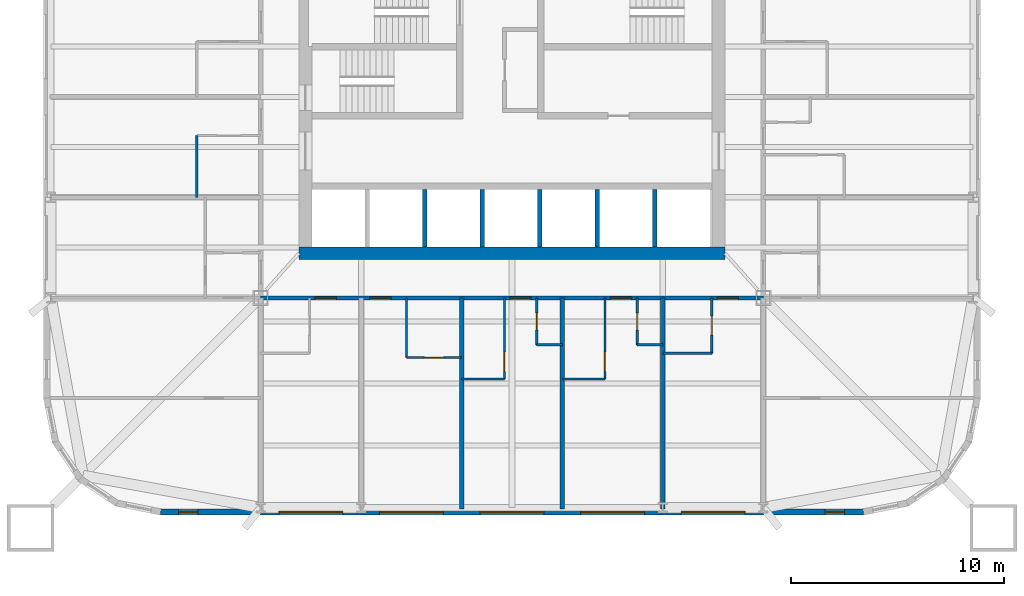
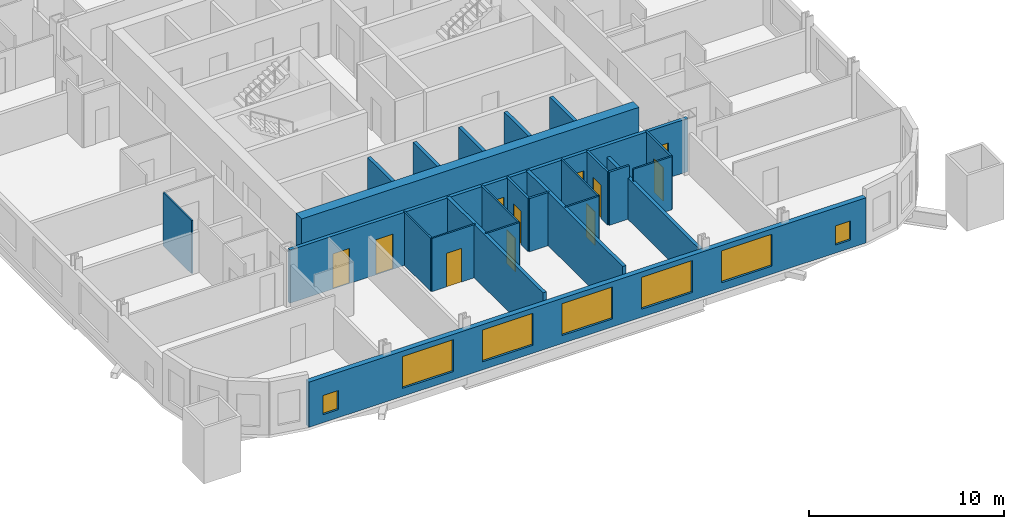
# One storey, part 3 of 9: 24 walls, 11 doors, 7 windows, 18 openings.
"""IFC4 building model written with IfcOpenShell, lengths in metres."""

import ifcopenshell
import ifcopenshell.guid

model = None  # the IFC model being written
_history = None  # IfcOwnerHistory: only IFC2X3 demands one
_inside = {}  # id of a spatial element -> (the spatial element, [elements in it])
_under = {}  # id of a project, library or spatial element -> (it, [spatial elements below it])
_declared = {}  # id of a project -> (the project, [libraries it declares])
_typed = {}  # id of a type object -> (the type object, [elements of that type])
_made_of = {}  # id of a material, layer set ... -> (it, [elements and type objects made of it])


def new_model(schema):
    """Start an empty IFC model of exactly this schema.

    Asked for "IFC4X3", IfcOpenShell would pick the latest addendum, in which some entities
    have other attributes; the version numbers below select the first issue.
    IFC2X3 requires an IfcOwnerHistory on every rooted entity: one is made here for all.
    """
    global model, _history
    if schema == "IFC4X3":
        model = ifcopenshell.file(schema_version=(4, 3, 0, 0))
    else:
        model = ifcopenshell.file(schema=schema)
    _inside.clear()
    _under.clear()
    _declared.clear()
    _typed.clear()
    _made_of.clear()
    _history = None
    if model.schema == "IFC2X3":
        org = make("IfcOrganization", Name="unknown")
        user = make(
            "IfcPersonAndOrganization",
            ThePerson=make("IfcPerson", FamilyName="unknown"),
            TheOrganization=org,
        )
        app = make(
            "IfcApplication",
            ApplicationDeveloper=org,
            Version="unknown",
            ApplicationFullName="unknown",
            ApplicationIdentifier="unknown",
        )
        _history = make(
            "IfcOwnerHistory",
            OwningUser=user,
            OwningApplication=app,
            ChangeAction="ADDED",
            CreationDate=0,
        )
    return model


def make(cls, **values):
    """One entity of the class cls with the attributes given. An attribute that is None is left unset."""
    return model.create_entity(
        cls, **{name: value for name, value in values.items() if value is not None}
    )


def rooted(cls, **values):
    """An entity with a GlobalId (a new one), such as an element, a storey or a relation."""
    return make(cls, GlobalId=ifcopenshell.guid.new(), OwnerHistory=_history, **values)


def si_unit(unit_type, name, prefix=None):
    """IfcSIUnit, for example si_unit("LENGTHUNIT", "METRE", prefix="MILLI")."""
    return make("IfcSIUnit", UnitType=unit_type, Prefix=prefix, Name=name)


def assignment(units):
    """IfcUnitAssignment: the units of a project."""
    return None if units is None else make("IfcUnitAssignment", Units=units)


def point(xyz):
    """IfcCartesianPoint."""
    return None if xyz is None else make("IfcCartesianPoint", Coordinates=xyz)


def direction(xyz):
    """IfcDirection."""
    return None if xyz is None else make("IfcDirection", DirectionRatios=xyz)


def frame(location, z_axis=None, x_axis=None):
    """IfcAxis2Placement3D, a coordinate frame: its origin and axes. An axis left out is left unset."""
    return make(
        "IfcAxis2Placement3D",
        Location=point(location),
        Axis=direction(z_axis),
        RefDirection=direction(x_axis),
    )


def frame_2d(location, x_axis=None):
    """IfcAxis2Placement2D, a coordinate frame in the plane: its origin and x axis."""
    return make(
        "IfcAxis2Placement2D", Location=point(location), RefDirection=direction(x_axis)
    )


def origin():
    """The frame at (0, 0, 0) with its axes left unset."""
    return frame((0.0, 0.0, 0.0))


def place(relative_to, where):
    """IfcLocalPlacement: puts the frame where relative to a parent placement (None: the world)."""
    return make(
        "IfcLocalPlacement", PlacementRelTo=relative_to, RelativePlacement=where
    )


def context(
    kind, dimensions, precision=None, world=None, true_north=None, identifier=None
):
    """IfcGeometricRepresentationContext, for example the 3D "Model" context."""
    return make(
        "IfcGeometricRepresentationContext",
        ContextIdentifier=identifier,
        ContextType=kind,
        CoordinateSpaceDimension=dimensions,
        Precision=precision,
        WorldCoordinateSystem=world,
        TrueNorth=true_north,
    )


def subcontext(parent, identifier, kind, view, scale=None):
    """IfcGeometricRepresentationSubContext, for example "Body" below "Model"."""
    return make(
        "IfcGeometricRepresentationSubContext",
        ContextIdentifier=identifier,
        ContextType=kind,
        ParentContext=parent,
        TargetScale=scale,
        TargetView=view,
    )


def project(units=None, contexts=None):
    """IfcProject with its units and contexts."""
    return rooted(
        "IfcProject",
        Name="project",
        RepresentationContexts=contexts,
        UnitsInContext=assignment(units),
    )


def spatial(cls, under=None, at=None, **own):
    """A site, building, storey or space (cls), placed at a placement, below another one or the project."""
    s = rooted(cls, ObjectPlacement=at, **own)
    if under is not None:
        _under.setdefault(under.id(), (under, []))[1].append(s)
    return s


def profile(cls, at=None, kind="AREA", **sizes):
    """A parametric profile (cls). Its sizes go by their IFC names, for example OverallWidth=200.0."""
    return make(cls, ProfileType=kind, Position=at, **sizes)


def rectangle(**sizes):
    """IfcRectangleProfileDef."""
    return profile("IfcRectangleProfileDef", **sizes)


def extrude(swept, where, along, depth):
    """IfcExtrudedAreaSolid: the profile swept, set in the frame where, extruded along a direction by depth."""
    return make(
        "IfcExtrudedAreaSolid",
        SweptArea=swept,
        Position=where,
        ExtrudedDirection=direction(along),
        Depth=depth,
    )


def shape(context_of_items, identifier, shape_type, items):
    """IfcShapeRepresentation: the items that make up one representation, for example the "Body"."""
    return make(
        "IfcShapeRepresentation",
        ContextOfItems=context_of_items,
        RepresentationIdentifier=identifier,
        RepresentationType=shape_type,
        Items=items,
    )


def material(Name=None, Category=None):
    """IfcMaterial."""
    return make("IfcMaterial", Name=Name, Category=Category)


def layer(
    of_material, thickness, ventilated=None, Name=None, Category=None, Priority=None
):
    """IfcMaterialLayer: one layer of a wall or slab, of a material (None: an air gap)."""
    return make(
        "IfcMaterialLayer",
        Material=of_material,
        LayerThickness=thickness,
        IsVentilated=ventilated,
        Name=Name,
        Category=Category,
        Priority=Priority,
    )


def layer_set(layers, Name=None):
    """IfcMaterialLayerSet."""
    return make("IfcMaterialLayerSet", MaterialLayers=layers, LayerSetName=Name)


def made_of(thing, what):
    """Note that an element or type object is made of a material, layer set ...; save() writes the relation."""
    if what is not None:
        _made_of.setdefault(what.id(), (what, []))[1].append(thing)
    return thing


def type_object(cls, material=None, **own):
    """A type object (cls), such as IfcWallType, which elements share."""
    return made_of(rooted(cls, **own), material)


def element(
    cls,
    number,
    at=None,
    inside=None,
    cuts=None,
    type_object=None,
    material=None,
    context=None,
    identifier="Body",
    shape_type=None,
    held_by="IfcProductDefinitionShape",
    body=None,
    shapes=None,
    **own,
):
    """One element of the class cls, such as IfcWall. Its Tag is "e" and its number.

    at: its placement. inside: the storey or other place that contains it. cuts: it is an
    opening in that element (IfcRelVoidsElement). A single representation is given by context,
    identifier, shape_type and body (its items); several are given by shapes. held_by: the class
    of the entity that holds the representations. save() writes the other relations.
    """
    e = rooted(cls, Tag="e%d" % number, ObjectPlacement=at, **own)
    if body is not None:
        shapes = [shape(context, identifier, shape_type, body)]
    if shapes is not None:
        e.Representation = make(held_by, Representations=shapes)
    if inside is not None:
        _inside.setdefault(inside.id(), (inside, []))[1].append(e)
    if cuts is not None:
        rooted(
            "IfcRelVoidsElement", RelatingBuildingElement=cuts, RelatedOpeningElement=e
        )
    if type_object is not None:
        _typed.setdefault(type_object.id(), (type_object, []))[1].append(e)
    return made_of(e, material)


def fill(opening, filler):
    """IfcRelFillsElement: the door or window that sits in an opening."""
    return rooted(
        "IfcRelFillsElement",
        RelatingOpeningElement=opening,
        RelatedBuildingElement=filler,
    )


def aggregate(whole, parts):
    """IfcRelAggregates: a whole, such as a stair, and the parts it consists of."""
    return rooted("IfcRelAggregates", RelatingObject=whole, RelatedObjects=parts)


def save(model, path):
    """Write the relations noted so far, then the file.

    IfcRelAggregates (storeys below a building ...), IfcRelContainedInSpatialStructure (elements
    in a storey), IfcRelDefinesByType, IfcRelAssociatesMaterial and IfcRelDeclares: one each for
    every whole, place, type object, material and project.
    """
    for whole, parts in _under.values():
        aggregate(whole, parts)
    for where, things in _inside.values():
        rooted(
            "IfcRelContainedInSpatialStructure",
            RelatedElements=things,
            RelatingStructure=where,
        )
    for kind, things in _typed.values():
        rooted("IfcRelDefinesByType", RelatedObjects=things, RelatingType=kind)
    for what, things in _made_of.values():
        rooted("IfcRelAssociatesMaterial", RelatedObjects=things, RelatingMaterial=what)
    for by, libraries in _declared.values():
        rooted("IfcRelDeclares", RelatingContext=by, RelatedDefinitions=libraries)
    model.write(path)


model = new_model("IFC4")

# Units and contexts
model_context = context("Model", 3, precision=1e-05, world=origin(), true_north=direction((0.0, 1.0)))
body_context = subcontext(model_context, "Body", "Model", "MODEL_VIEW")
ifc_project = project(units=[si_unit("LENGTHUNIT", "METRE"), si_unit("AREAUNIT", "SQUARE_METRE"), si_unit("VOLUMEUNIT", "CUBIC_METRE"), si_unit("PLANEANGLEUNIT", "RADIAN"), si_unit("MASSUNIT", "GRAM", prefix="KILO")], contexts=[model_context])

# Site, building, storey
site_placement = place(None, origin())
site = spatial("IfcSite", under=ifc_project, at=site_placement, CompositionType="ELEMENT")
building_placement = place(site_placement, origin())
building = spatial("IfcBuilding", under=site, at=building_placement, Name="Turquesa Mirador Hotel Tower", CompositionType="ELEMENT")
storey_placement = place(building_placement, frame((0.0, 0.0, 74.0)))
storey = spatial("IfcBuildingStorey", under=building, at=storey_placement, Name="L19", CompositionType="ELEMENT", Elevation=74.0)

# Wall
ifc_material_1 = material(Name="Gypsum board on steel studs", Category="steel")
ifc_layer_1 = layer(ifc_material_1, 0.10009765625)
ifc_layer_set_1 = layer_set([ifc_layer_1], Name="BATHROOM WALL 100")
wall_type_1 = type_object("IfcWallType", Name="BATHROOM WALL 100", PredefinedType="PARTITIONING", material=ifc_layer_set_1)
wall_1_placement = place(storey_placement, frame((62.080078125, 30.60009765625, 0.0), z_axis=(0.0, 0.0, 1.0), x_axis=(1.0, 0.0, 0.0)))
element("IfcWall", 1, at=wall_1_placement, inside=storey, type_object=wall_type_1, Name="Partition L19 007", PredefinedType="PARTITIONING", context=body_context, shape_type="SweptSolid", body=[
    extrude(rectangle(XDim=2.2998046875, YDim=0.10009765625, at=frame_2d((1.14990234375, 0.0))), origin(), (0.0, 0.0, 1.0), 3.330078125),
])

# Wall, opening, door
wall_2_placement = place(storey_placement, frame((50.0400390625, 30.39990234375, 0.0), z_axis=(0.0, 0.0, 1.0), x_axis=(1.0, 0.0, 0.0)))
wall_2 = element("IfcWall", 2, at=wall_2_placement, inside=storey, type_object=wall_type_1, Name="Partition L19 008", PredefinedType="PARTITIONING", context=body_context, shape_type="SweptSolid", body=[
    extrude(rectangle(XDim=2.599853515625, YDim=0.10009765625, at=frame_2d((1.2998046875, 0.0))), origin(), (0.0, 0.0, 1.0), 3.330078125),
])
opening_1_placement = place(wall_2_placement, frame((0.85009765625, 0.0, 0.0)))
opening_1 = element("IfcOpeningElement", 3, at=opening_1_placement, cuts=wall_2, Name="Opening D02", PredefinedType="OPENING", context=body_context, shape_type="SweptSolid", body=[
    extrude(rectangle(XDim=0.89990234375, YDim=2.10009765625, at=frame_2d((0.449951171875, 1.050048828125))), frame((0.0, 0.06005859375, 0.0), z_axis=(0.0, -1.0, 0.0), x_axis=(1.0, 0.0, 0.0)), (0.0, 0.0, 1.0), 0.1201171875),
])
ifc_material_2 = material(Name="Timber veneered door", Category="wood")
door_type_1 = type_object("IfcDoorType", Name="DOOR 900X2100 EN-SUITE", OperationType="SINGLE_SWING_RIGHT", PredefinedType="DOOR", material=ifc_material_2)
door_1_placement = place(opening_1_placement, origin())
door_1 = element("IfcDoor", 4, at=door_1_placement, inside=storey, type_object=door_type_1, Name="Door 1904B", OperationType="SINGLE_SWING_RIGHT", OverallHeight=2.10009765625, OverallWidth=0.89990234375, PredefinedType="DOOR", context=body_context, shape_type="SweptSolid", body=[
    extrude(rectangle(XDim=0.89990234375, YDim=2.10009765625, at=frame_2d((0.449951171875, 1.050048828125))), frame((0.0, 0.02490234375, 0.0), z_axis=(0.0, -1.0, 0.0), x_axis=(1.0, 0.0, 0.0)), (0.0, 0.0, 1.0), 0.050048828125),
])
fill(opening_1, door_1)

# Walls
for number, where, z_axis, x_axis, name in (
    (5, (52.639892578125, 29.39990234375, 0.0), (0.0, 0.0, 1.0), (1.0, 0.0, 0.0), "Partition L19 009"),
    (6, (57.360107421875, 29.39990234375, 0.0), (0.0, 0.0, 1.0), (1.0, 0.0, 0.0), "Partition L19 010"),
):
    element("IfcWall", number, at=place(storey_placement, frame(where, z_axis=z_axis, x_axis=x_axis)), inside=storey, type_object=wall_type_1, Name=name, PredefinedType="PARTITIONING", context=body_context, shape_type="SweptSolid", body=[
        extrude(rectangle(XDim=2.0, YDim=0.10009765625, at=frame_2d((1.0, 0.0))), origin(), (0.0, 0.0, 1.0), 3.330078125),
    ])

# Wall, opening, door
wall_3_placement = place(storey_placement, frame((54.639892578125, 29.39990234375, 0.0), z_axis=(0.0, 0.0, 1.0), x_axis=(0.0, 1.0, 0.0)))
wall_3 = element("IfcWall", 7, at=wall_3_placement, inside=storey, type_object=wall_type_1, Name="Partition L19 041", PredefinedType="PARTITIONING", context=body_context, shape_type="SweptSolid", body=[
    extrude(rectangle(XDim=3.800048828125, YDim=0.10009765625, at=frame_2d((1.89990234375, 0.0))), origin(), (0.0, 0.0, 1.0), 3.330078125),
])
opening_2_placement = place(wall_3_placement, frame((0.35009765625, 0.0, 0.0)))
opening_2 = element("IfcOpeningElement", 8, at=opening_2_placement, cuts=wall_3, Name="Opening D02", PredefinedType="OPENING", context=body_context, shape_type="SweptSolid", body=[
    extrude(rectangle(XDim=0.89990234375, YDim=2.10009765625, at=frame_2d((0.449951171875, 1.050048828125))), frame((0.0, 0.06005859375, 0.0), z_axis=(0.0, -1.0, 0.0), x_axis=(1.0, 0.0, 0.0)), (0.0, 0.0, 1.0), 0.1201171875),
])
door_2_placement = place(opening_2_placement, origin())
door_2 = element("IfcDoor", 9, at=door_2_placement, inside=storey, type_object=door_type_1, Name="Door 1905B", OperationType="SINGLE_SWING_RIGHT", OverallHeight=2.10009765625, OverallWidth=0.89990234375, PredefinedType="DOOR", context=body_context, shape_type="SweptSolid", body=[
    extrude(rectangle(XDim=0.89990234375, YDim=2.10009765625, at=frame_2d((0.449951171875, 1.050048828125))), frame((0.0, 0.02490234375, 0.0), z_axis=(0.0, -1.0, 0.0), x_axis=(1.0, 0.0, 0.0)), (0.0, 0.0, 1.0), 0.050048828125),
])
fill(opening_2, door_2)

# Walls
wall_4_placement = place(storey_placement, frame((40.199951171875, 37.919921875, 0.0), z_axis=(0.0, 0.0, 1.0), x_axis=(0.0, 1.0, 0.0)))
element("IfcWall", 10, at=wall_4_placement, inside=storey, type_object=wall_type_1, Name="Partition L19 051", PredefinedType="PARTITIONING", context=body_context, shape_type="SweptSolid", body=[
    extrude(rectangle(XDim=2.900146484375, YDim=0.10009765625, at=frame_2d((1.4501953125, 0.0))), origin(), (0.0, 0.0, 1.0), 3.330078125),
])
wall_5_placement = place(storey_placement, frame((50.0400390625, 30.39990234375, 0.0), z_axis=(0.0, 0.0, 1.0), x_axis=(0.0, 1.0, 0.0)))
element("IfcWall", 11, at=wall_5_placement, inside=storey, type_object=wall_type_1, Name="Partition L19 056", PredefinedType="PARTITIONING", context=body_context, shape_type="SweptSolid", body=[
    extrude(rectangle(XDim=2.800048828125, YDim=0.10009765625, at=frame_2d((1.39990234375, 0.0))), origin(), (0.0, 0.0, 1.0), 3.330078125),
])

# Wall, opening, door
wall_6_placement = place(storey_placement, frame((59.360107421875, 29.39990234375, 0.0), z_axis=(0.0, 0.0, 1.0), x_axis=(0.0, 1.0, 0.0)))
wall_6 = element("IfcWall", 12, at=wall_6_placement, inside=storey, type_object=wall_type_1, Name="Partition L19 075", PredefinedType="PARTITIONING", context=body_context, shape_type="SweptSolid", body=[
    extrude(rectangle(XDim=3.800048828125, YDim=0.10009765625, at=frame_2d((1.89990234375, 0.0))), origin(), (0.0, 0.0, 1.0), 3.330078125),
])
opening_3_placement = place(wall_6_placement, frame((0.35009765625, 0.0, 0.0)))
opening_3 = element("IfcOpeningElement", 13, at=opening_3_placement, cuts=wall_6, Name="Opening D02", PredefinedType="OPENING", context=body_context, shape_type="SweptSolid", body=[
    extrude(rectangle(XDim=0.89990234375, YDim=2.10009765625, at=frame_2d((0.449951171875, 1.050048828125))), frame((0.0, 0.06005859375, 0.0), z_axis=(0.0, -1.0, 0.0), x_axis=(1.0, 0.0, 0.0)), (0.0, 0.0, 1.0), 0.1201171875),
])
door_3_placement = place(opening_3_placement, origin())
door_3 = element("IfcDoor", 14, at=door_3_placement, inside=storey, type_object=door_type_1, Name="Door 1906B", OperationType="SINGLE_SWING_RIGHT", OverallHeight=2.10009765625, OverallWidth=0.89990234375, PredefinedType="DOOR", context=body_context, shape_type="SweptSolid", body=[
    extrude(rectangle(XDim=0.89990234375, YDim=2.10009765625, at=frame_2d((0.449951171875, 1.050048828125))), frame((0.0, 0.02490234375, 0.0), z_axis=(0.0, -1.0, 0.0), x_axis=(1.0, 0.0, 0.0)), (0.0, 0.0, 1.0), 0.050048828125),
])
fill(opening_3, door_3)

wall_7_placement = place(storey_placement, frame((64.3798828125, 30.60009765625, 0.0), z_axis=(0.0, 0.0, 1.0), x_axis=(0.0, 1.0, 0.0)))
wall_7 = element("IfcWall", 15, at=wall_7_placement, inside=storey, type_object=wall_type_1, Name="Partition L19 079", PredefinedType="PARTITIONING", context=body_context, shape_type="SweptSolid", body=[
    extrude(rectangle(XDim=2.599853515625, YDim=0.10009765625, at=frame_2d((1.2998046875, 0.0))), origin(), (0.0, 0.0, 1.0), 3.330078125),
])
opening_4_placement = place(wall_7_placement, frame((0.85009765625, 0.0, 0.0)))
opening_4 = element("IfcOpeningElement", 16, at=opening_4_placement, cuts=wall_7, Name="Opening D02", PredefinedType="OPENING", context=body_context, shape_type="SweptSolid", body=[
    extrude(rectangle(XDim=0.89990234375, YDim=2.10009765625, at=frame_2d((0.449951171875, 1.050048828125))), frame((0.0, 0.06005859375, 0.0), z_axis=(0.0, -1.0, 0.0), x_axis=(1.0, 0.0, 0.0)), (0.0, 0.0, 1.0), 0.1201171875),
])
door_4_placement = place(opening_4_placement, origin())
door_4 = element("IfcDoor", 17, at=door_4_placement, inside=storey, type_object=door_type_1, Name="Door 1907B", OperationType="SINGLE_SWING_RIGHT", OverallHeight=2.10009765625, OverallWidth=0.89990234375, PredefinedType="DOOR", context=body_context, shape_type="SweptSolid", body=[
    extrude(rectangle(XDim=0.89990234375, YDim=2.10009765625, at=frame_2d((0.449951171875, 1.050048828125))), frame((0.0, 0.02490234375, 0.0), z_axis=(0.0, -1.0, 0.0), x_axis=(1.0, 0.0, 0.0)), (0.0, 0.0, 1.0), 0.050048828125),
])
fill(opening_4, door_4)

# Wall
ifc_material_3 = material(Name="Concrete C50/60", Category="concrete")
ifc_layer_2 = layer(ifc_material_3, 0.60009765625)
ifc_layer_set_2 = layer_set([ifc_layer_2], Name="CORE WALL 600")
wall_type_2 = type_object("IfcWallType", Name="CORE WALL 600", PredefinedType="SHEAR", material=ifc_layer_set_2)
wall_8_placement = place(storey_placement, frame((45.0, 35.300048828125, 0.0), z_axis=(0.0, 0.0, 1.0), x_axis=(1.0, 0.0, 0.0)))
element("IfcWall", 18, at=wall_8_placement, inside=storey, type_object=wall_type_2, Name="Core wall S", PredefinedType="SHEAR", context=body_context, shape_type="SweptSolid", body=[
    extrude(rectangle(XDim=20.0, YDim=0.60009765625, at=frame_2d((10.0, 0.0))), origin(), (0.0, 0.0, 1.0), 3.5),
])

# Wall, openings, doors
ifc_material_4 = material(Name="Fire-rated gypsum board on steel studs", Category="steel")
ifc_layer_3 = layer(ifc_material_4, 0.199951171875)
ifc_layer_set_3 = layer_set([ifc_layer_3], Name="CORRIDOR WALL 200")
wall_type_3 = type_object("IfcWallType", Name="CORRIDOR WALL 200", PredefinedType="PARTITIONING", material=ifc_layer_set_3)
wall_9_placement = place(storey_placement, frame((43.199951171875, 33.199951171875, 0.0), z_axis=(0.0, 0.0, 1.0), x_axis=(1.0, 0.0, 0.0)))
wall_9 = element("IfcWall", 19, at=wall_9_placement, inside=storey, type_object=wall_type_3, Name="Partition L19 001", PredefinedType="PARTITIONING", context=body_context, shape_type="SweptSolid", body=[
    extrude(rectangle(XDim=23.60009765625, YDim=0.199951171875, at=frame_2d((11.800048828125, 0.0))), origin(), (0.0, 0.0, 1.0), 3.330078125),
])
opening_5_placement = place(wall_9_placement, frame((2.550048828125, 0.0, 0.0)))
opening_5 = element("IfcOpeningElement", 20, at=opening_5_placement, cuts=wall_9, Name="Opening D01", PredefinedType="OPENING", context=body_context, shape_type="SweptSolid", body=[
    extrude(rectangle(XDim=1.0, YDim=2.199951171875, at=frame_2d((0.5, 1.10009765625))), frame((0.0, 0.10986328125, 0.0), z_axis=(0.0, -1.0, 0.0), x_axis=(1.0, 0.0, 0.0)), (0.0, 0.0, 1.0), 0.219970703125),
])
opening_6_placement = place(wall_9_placement, frame((5.1201171875, 0.0, 0.0)))
opening_6 = element("IfcOpeningElement", 21, at=opening_6_placement, cuts=wall_9, Name="Opening D01", PredefinedType="OPENING", context=body_context, shape_type="SweptSolid", body=[
    extrude(rectangle(XDim=1.0, YDim=2.199951171875, at=frame_2d((0.5, 1.10009765625))), frame((0.0, 0.10986328125, 0.0), z_axis=(0.0, -1.0, 0.0), x_axis=(1.0, 0.0, 0.0)), (0.0, 0.0, 1.0), 0.219970703125),
])
opening_7_placement = place(wall_9_placement, frame((11.699951171875, 0.0, 0.0)))
opening_7 = element("IfcOpeningElement", 22, at=opening_7_placement, cuts=wall_9, Name="Opening D01", PredefinedType="OPENING", context=body_context, shape_type="SweptSolid", body=[
    extrude(rectangle(XDim=1.0, YDim=2.199951171875, at=frame_2d((0.5, 1.10009765625))), frame((0.0, 0.10986328125, 0.0), z_axis=(0.0, -1.0, 0.0), x_axis=(1.0, 0.0, 0.0)), (0.0, 0.0, 1.0), 0.219970703125),
])
opening_8_placement = place(wall_9_placement, frame((16.419921875, 0.0, 0.0)))
opening_8 = element("IfcOpeningElement", 23, at=opening_8_placement, cuts=wall_9, Name="Opening D01", PredefinedType="OPENING", context=body_context, shape_type="SweptSolid", body=[
    extrude(rectangle(XDim=1.0, YDim=2.199951171875, at=frame_2d((0.5, 1.10009765625))), frame((0.0, 0.10986328125, 0.0), z_axis=(0.0, -1.0, 0.0), x_axis=(1.0, 0.0, 0.0)), (0.0, 0.0, 1.0), 0.219970703125),
])
opening_9_placement = place(wall_9_placement, frame((21.429931640625, 0.0, 0.0)))
opening_9 = element("IfcOpeningElement", 24, at=opening_9_placement, cuts=wall_9, Name="Opening D01", PredefinedType="OPENING", context=body_context, shape_type="SweptSolid", body=[
    extrude(rectangle(XDim=1.0, YDim=2.199951171875, at=frame_2d((0.5, 1.10009765625))), frame((0.0, 0.10986328125, 0.0), z_axis=(0.0, -1.0, 0.0), x_axis=(1.0, 0.0, 0.0)), (0.0, 0.0, 1.0), 0.219970703125),
])
ifc_material_5 = material(Name="Timber veneered fire door", Category="wood")
door_type_2 = type_object("IfcDoorType", Name="DOOR 1000X2200 GUEST ENTRY", OperationType="SINGLE_SWING_LEFT", PredefinedType="DOOR", material=ifc_material_5)
door_5_placement = place(opening_5_placement, origin())
door_5 = element("IfcDoor", 25, at=door_5_placement, inside=storey, type_object=door_type_2, Name="Door 1903", OperationType="SINGLE_SWING_LEFT", OverallHeight=2.199951171875, OverallWidth=1.0, PredefinedType="DOOR", context=body_context, shape_type="SweptSolid", body=[
    extrude(rectangle(XDim=1.0, YDim=2.199951171875, at=frame_2d((0.5, 1.10009765625))), frame((0.0, 0.02490234375, 0.0), z_axis=(0.0, -1.0, 0.0), x_axis=(1.0, 0.0, 0.0)), (0.0, 0.0, 1.0), 0.050048828125),
])
fill(opening_5, door_5)
door_6_placement = place(opening_6_placement, origin())
door_6 = element("IfcDoor", 26, at=door_6_placement, inside=storey, type_object=door_type_2, Name="Door 1904", OperationType="SINGLE_SWING_LEFT", OverallHeight=2.199951171875, OverallWidth=1.0, PredefinedType="DOOR", context=body_context, shape_type="SweptSolid", body=[
    extrude(rectangle(XDim=1.0, YDim=2.199951171875, at=frame_2d((0.5, 1.10009765625))), frame((0.0, 0.02490234375, 0.0), z_axis=(0.0, -1.0, 0.0), x_axis=(1.0, 0.0, 0.0)), (0.0, 0.0, 1.0), 0.050048828125),
])
fill(opening_6, door_6)
door_7_placement = place(opening_7_placement, origin())
door_7 = element("IfcDoor", 27, at=door_7_placement, inside=storey, type_object=door_type_2, Name="Door 1905", OperationType="SINGLE_SWING_LEFT", OverallHeight=2.199951171875, OverallWidth=1.0, PredefinedType="DOOR", context=body_context, shape_type="SweptSolid", body=[
    extrude(rectangle(XDim=1.0, YDim=2.199951171875, at=frame_2d((0.5, 1.10009765625))), frame((0.0, 0.02490234375, 0.0), z_axis=(0.0, -1.0, 0.0), x_axis=(1.0, 0.0, 0.0)), (0.0, 0.0, 1.0), 0.050048828125),
])
fill(opening_7, door_7)
door_8_placement = place(opening_8_placement, origin())
door_8 = element("IfcDoor", 28, at=door_8_placement, inside=storey, type_object=door_type_2, Name="Door 1906", OperationType="SINGLE_SWING_LEFT", OverallHeight=2.199951171875, OverallWidth=1.0, PredefinedType="DOOR", context=body_context, shape_type="SweptSolid", body=[
    extrude(rectangle(XDim=1.0, YDim=2.199951171875, at=frame_2d((0.5, 1.10009765625))), frame((0.0, 0.02490234375, 0.0), z_axis=(0.0, -1.0, 0.0), x_axis=(1.0, 0.0, 0.0)), (0.0, 0.0, 1.0), 0.050048828125),
])
fill(opening_8, door_8)
door_9_placement = place(opening_9_placement, origin())
door_9 = element("IfcDoor", 29, at=door_9_placement, inside=storey, type_object=door_type_2, Name="Door 1907", OperationType="SINGLE_SWING_LEFT", OverallHeight=2.199951171875, OverallWidth=1.0, PredefinedType="DOOR", context=body_context, shape_type="SweptSolid", body=[
    extrude(rectangle(XDim=1.0, YDim=2.199951171875, at=frame_2d((0.5, 1.10009765625))), frame((0.0, 0.02490234375, 0.0), z_axis=(0.0, -1.0, 0.0), x_axis=(1.0, 0.0, 0.0)), (0.0, 0.0, 1.0), 0.050048828125),
])
fill(opening_9, door_9)

# Wall, openings, windows
ifc_material_6 = material(Name="Limestone cladding on concrete block", Category="masonry")
ifc_layer_4 = layer(ifc_material_6, 0.300048828125)
ifc_layer_set_4 = layer_set([ifc_layer_4], Name="FACADE WALL 300 STONE SCREEN")
wall_type_4 = type_object("IfcWallType", Name="FACADE WALL 300 STONE SCREEN", PredefinedType="SOLIDWALL", material=ifc_layer_set_4)
wall_10_placement = place(storey_placement, frame((38.5, 23.14990234375, 0.0), z_axis=(0.0, 0.0, 1.0), x_axis=(1.0, 0.0, 0.0)))
wall_10 = element("IfcWall", 30, at=wall_10_placement, inside=storey, type_object=wall_type_4, Name="Facade wall L19 19", PredefinedType="SOLIDWALL", context=body_context, shape_type="SweptSolid", body=[
    extrude(rectangle(XDim=33.0, YDim=0.300048828125, at=frame_2d((16.5, 0.0))), origin(), (0.0, 0.0, 1.0), 2.830078125),
])
opening_10_placement = place(wall_10_placement, frame((0.85009765625, 0.0, 0.5)))
opening_10 = element("IfcOpeningElement", 31, at=opening_10_placement, cuts=wall_10, Name="Opening WN36", PredefinedType="OPENING", context=body_context, shape_type="SweptSolid", body=[
    extrude(rectangle(XDim=0.89990234375, YDim=1.199951171875, at=frame_2d((0.449951171875, 0.60009765625))), frame((0.0, 0.159912109375, 0.0), z_axis=(0.0, -1.0, 0.0), x_axis=(1.0, 0.0, 0.0)), (0.0, 0.0, 1.0), 0.320068359375),
])
opening_11_placement = place(wall_10_placement, frame((5.56005859375, 0.0, 0.5)))
opening_11 = element("IfcOpeningElement", 32, at=opening_11_placement, cuts=wall_10, Name="Opening WN1", PredefinedType="OPENING", context=body_context, shape_type="SweptSolid", body=[
    extrude(rectangle(XDim=3.0, YDim=2.0, at=frame_2d((1.5, 1.0))), frame((0.0, 0.159912109375, 0.0), z_axis=(0.0, -1.0, 0.0), x_axis=(1.0, 0.0, 0.0)), (0.0, 0.0, 1.0), 0.320068359375),
])
opening_12_placement = place(wall_10_placement, frame((10.280029296875, 0.0, 0.5)))
opening_12 = element("IfcOpeningElement", 33, at=opening_12_placement, cuts=wall_10, Name="Opening WN1", PredefinedType="OPENING", context=body_context, shape_type="SweptSolid", body=[
    extrude(rectangle(XDim=3.0, YDim=2.0, at=frame_2d((1.5, 1.0))), frame((0.0, 0.159912109375, 0.0), z_axis=(0.0, -1.0, 0.0), x_axis=(1.0, 0.0, 0.0)), (0.0, 0.0, 1.0), 0.320068359375),
])
opening_13_placement = place(wall_10_placement, frame((15.0, 0.0, 0.5)))
opening_13 = element("IfcOpeningElement", 34, at=opening_13_placement, cuts=wall_10, Name="Opening WN1", PredefinedType="OPENING", context=body_context, shape_type="SweptSolid", body=[
    extrude(rectangle(XDim=3.0, YDim=2.0, at=frame_2d((1.5, 1.0))), frame((0.0, 0.159912109375, 0.0), z_axis=(0.0, -1.0, 0.0), x_axis=(1.0, 0.0, 0.0)), (0.0, 0.0, 1.0), 0.320068359375),
])
opening_14_placement = place(wall_10_placement, frame((19.719970703125, 0.0, 0.5)))
opening_14 = element("IfcOpeningElement", 35, at=opening_14_placement, cuts=wall_10, Name="Opening WN1", PredefinedType="OPENING", context=body_context, shape_type="SweptSolid", body=[
    extrude(rectangle(XDim=3.0, YDim=2.0, at=frame_2d((1.5, 1.0))), frame((0.0, 0.159912109375, 0.0), z_axis=(0.0, -1.0, 0.0), x_axis=(1.0, 0.0, 0.0)), (0.0, 0.0, 1.0), 0.320068359375),
])
opening_15_placement = place(wall_10_placement, frame((24.43994140625, 0.0, 0.5)))
opening_15 = element("IfcOpeningElement", 36, at=opening_15_placement, cuts=wall_10, Name="Opening WN1", PredefinedType="OPENING", context=body_context, shape_type="SweptSolid", body=[
    extrude(rectangle(XDim=3.0, YDim=2.0, at=frame_2d((1.5, 1.0))), frame((0.0, 0.159912109375, 0.0), z_axis=(0.0, -1.0, 0.0), x_axis=(1.0, 0.0, 0.0)), (0.0, 0.0, 1.0), 0.320068359375),
])
opening_16_placement = place(wall_10_placement, frame((31.199951171875, 0.0, 0.5)))
opening_16 = element("IfcOpeningElement", 37, at=opening_16_placement, cuts=wall_10, Name="Opening WN36", PredefinedType="OPENING", context=body_context, shape_type="SweptSolid", body=[
    extrude(rectangle(XDim=0.89990234375, YDim=1.199951171875, at=frame_2d((0.449951171875, 0.60009765625))), frame((0.0, 0.159912109375, 0.0), z_axis=(0.0, -1.0, 0.0), x_axis=(1.0, 0.0, 0.0)), (0.0, 0.0, 1.0), 0.320068359375),
])
ifc_material_7 = material(Name="Ceramic-fritted laminated glass", Category="glass")
window_type_1 = type_object("IfcWindowType", Name="FRITTED WINDOW 3000X2000", PartitioningType="DOUBLE_PANEL_HORIZONTAL", PredefinedType="WINDOW", material=ifc_material_7)
window_1_placement = place(opening_11_placement, origin())
window_1 = element("IfcWindow", 38, at=window_1_placement, inside=storey, type_object=window_type_1, Name="Window L19", OverallHeight=2.0, OverallWidth=3.0, PartitioningType="SINGLE_PANEL", PredefinedType="WINDOW", context=body_context, shape_type="SweptSolid", body=[
    extrude(rectangle(XDim=3.0, YDim=2.0, at=frame_2d((1.5, 1.0))), frame((0.0, 0.030029296875, 0.0), z_axis=(0.0, -1.0, 0.0), x_axis=(1.0, 0.0, 0.0)), (0.0, 0.0, 1.0), 0.06005859375),
])
fill(opening_11, window_1)
window_2_placement = place(opening_12_placement, origin())
window_2 = element("IfcWindow", 39, at=window_2_placement, inside=storey, type_object=window_type_1, Name="Window L19", OverallHeight=2.0, OverallWidth=3.0, PartitioningType="SINGLE_PANEL", PredefinedType="WINDOW", context=body_context, shape_type="SweptSolid", body=[
    extrude(rectangle(XDim=3.0, YDim=2.0, at=frame_2d((1.5, 1.0))), frame((0.0, 0.030029296875, 0.0), z_axis=(0.0, -1.0, 0.0), x_axis=(1.0, 0.0, 0.0)), (0.0, 0.0, 1.0), 0.06005859375),
])
fill(opening_12, window_2)
window_3_placement = place(opening_13_placement, origin())
window_3 = element("IfcWindow", 40, at=window_3_placement, inside=storey, type_object=window_type_1, Name="Window L19", OverallHeight=2.0, OverallWidth=3.0, PartitioningType="SINGLE_PANEL", PredefinedType="WINDOW", context=body_context, shape_type="SweptSolid", body=[
    extrude(rectangle(XDim=3.0, YDim=2.0, at=frame_2d((1.5, 1.0))), frame((0.0, 0.030029296875, 0.0), z_axis=(0.0, -1.0, 0.0), x_axis=(1.0, 0.0, 0.0)), (0.0, 0.0, 1.0), 0.06005859375),
])
fill(opening_13, window_3)
window_4_placement = place(opening_14_placement, origin())
window_4 = element("IfcWindow", 41, at=window_4_placement, inside=storey, type_object=window_type_1, Name="Window L19", OverallHeight=2.0, OverallWidth=3.0, PartitioningType="SINGLE_PANEL", PredefinedType="WINDOW", context=body_context, shape_type="SweptSolid", body=[
    extrude(rectangle(XDim=3.0, YDim=2.0, at=frame_2d((1.5, 1.0))), frame((0.0, 0.030029296875, 0.0), z_axis=(0.0, -1.0, 0.0), x_axis=(1.0, 0.0, 0.0)), (0.0, 0.0, 1.0), 0.06005859375),
])
fill(opening_14, window_4)
window_5_placement = place(opening_15_placement, origin())
window_5 = element("IfcWindow", 42, at=window_5_placement, inside=storey, type_object=window_type_1, Name="Window L19", OverallHeight=2.0, OverallWidth=3.0, PartitioningType="SINGLE_PANEL", PredefinedType="WINDOW", context=body_context, shape_type="SweptSolid", body=[
    extrude(rectangle(XDim=3.0, YDim=2.0, at=frame_2d((1.5, 1.0))), frame((0.0, 0.030029296875, 0.0), z_axis=(0.0, -1.0, 0.0), x_axis=(1.0, 0.0, 0.0)), (0.0, 0.0, 1.0), 0.06005859375),
])
fill(opening_15, window_5)
ifc_material_8 = material(Name="Ceramic-fritted laminated glass", Category="glass")
window_type_2 = type_object("IfcWindowType", Name="FRITTED WINDOW 900X1200", PartitioningType="DOUBLE_PANEL_HORIZONTAL", PredefinedType="WINDOW", material=ifc_material_8)
window_6_placement = place(opening_10_placement, origin())
window_6 = element("IfcWindow", 43, at=window_6_placement, inside=storey, type_object=window_type_2, Name="Window L19", OverallHeight=1.199951171875, OverallWidth=0.89990234375, PartitioningType="SINGLE_PANEL", PredefinedType="WINDOW", context=body_context, shape_type="SweptSolid", body=[
    extrude(rectangle(XDim=0.89990234375, YDim=1.199951171875, at=frame_2d((0.449951171875, 0.60009765625))), frame((0.0, 0.030029296875, 0.0), z_axis=(0.0, -1.0, 0.0), x_axis=(1.0, 0.0, 0.0)), (0.0, 0.0, 1.0), 0.06005859375),
])
fill(opening_10, window_6)
window_7_placement = place(opening_16_placement, origin())
window_7 = element("IfcWindow", 44, at=window_7_placement, inside=storey, type_object=window_type_2, Name="Window L19", OverallHeight=1.199951171875, OverallWidth=0.89990234375, PartitioningType="SINGLE_PANEL", PredefinedType="WINDOW", context=body_context, shape_type="SweptSolid", body=[
    extrude(rectangle(XDim=0.89990234375, YDim=1.199951171875, at=frame_2d((0.449951171875, 0.60009765625))), frame((0.0, 0.030029296875, 0.0), z_axis=(0.0, -1.0, 0.0), x_axis=(1.0, 0.0, 0.0)), (0.0, 0.0, 1.0), 0.06005859375),
])
fill(opening_16, window_7)

# Walls
ifc_material_9 = material(Name="Fire-rated gypsum shaft wall on steel studs", Category="steel")
ifc_layer_5 = layer(ifc_material_9, 0.199951171875)
ifc_layer_set_5 = layer_set([ifc_layer_5], Name="LIFT SHAFT DIVIDER 200")
wall_type_5 = type_object("IfcWallType", Name="LIFT SHAFT DIVIDER 200", PredefinedType="PARTITIONING", material=ifc_layer_set_5)
for number, where, z_axis, x_axis, name in (
    (45, (50.89990234375, 35.60009765625, 0.0), (0.0, 0.0, 1.0), (0.0, 1.0, 0.0), "Lift shaft divider"),
    (46, (53.60009765625, 35.60009765625, 0.0), (0.0, 0.0, 1.0), (0.0, 1.0, 0.0), "Lift shaft divider"),
    (47, (56.300048828125, 35.60009765625, 0.0), (0.0, 0.0, 1.0), (0.0, 1.0, 0.0), "Lift shaft divider"),
    (48, (59.0, 35.60009765625, 0.0), (0.0, 0.0, 1.0), (0.0, 1.0, 0.0), "Lift shaft divider"),
    (49, (61.699951171875, 35.60009765625, 0.0), (0.0, 0.0, 1.0), (0.0, 1.0, 0.0), "Lift shaft divider"),
):
    element("IfcWall", number, at=place(storey_placement, frame(where, z_axis=z_axis, x_axis=x_axis)), inside=storey, type_object=wall_type_5, Name=name, PredefinedType="PARTITIONING", context=body_context, shape_type="SweptSolid", body=[
        extrude(rectangle(XDim=2.699951171875, YDim=0.199951171875, at=frame_2d((1.35009765625, 0.0))), origin(), (0.0, 0.0, 1.0), 3.330078125),
    ])
ifc_material_10 = material(Name="Fire-rated gypsum board on steel studs", Category="steel")
ifc_layer_6 = layer(ifc_material_10, 0.199951171875)
ifc_layer_set_6 = layer_set([ifc_layer_6], Name="PARTY WALL 200")
wall_type_6 = type_object("IfcWallType", Name="PARTY WALL 200", PredefinedType="PARTITIONING", material=ifc_layer_set_6)
for number, where, z_axis, x_axis, name in (
    (50, (52.639892578125, 23.300048828125, 0.0), (0.0, 0.0, 1.0), (0.0, 1.0, 0.0), "Partition L19 054"),
    (51, (57.360107421875, 23.300048828125, 0.0), (0.0, 0.0, 1.0), (0.0, 1.0, 0.0), "Partition L19 073"),
):
    element("IfcWall", number, at=place(storey_placement, frame(where, z_axis=z_axis, x_axis=x_axis)), inside=storey, type_object=wall_type_6, Name=name, PredefinedType="PARTITIONING", context=body_context, shape_type="SweptSolid", body=[
        extrude(rectangle(XDim=9.89990234375, YDim=0.199951171875, at=frame_2d((4.949951171875, 0.0))), origin(), (0.0, 0.0, 1.0), 3.330078125),
    ])
wall_11_placement = place(storey_placement, frame((62.080078125, 23.300048828125, 0.0), z_axis=(0.0, 0.0, 1.0), x_axis=(0.0, 1.0, 0.0)))
element("IfcWall", 52, at=wall_11_placement, inside=storey, type_object=wall_type_6, Name="Partition L19 078", PredefinedType="PARTITIONING", context=body_context, shape_type="SweptSolid", body=[
    extrude(rectangle(XDim=9.89990234375, YDim=0.199951171875, at=frame_2d((4.949951171875, 0.0))), origin(), (0.0, 0.0, 1.0), 2.572998046875),
])
ifc_material_11 = material(Name="Acoustic gypsum board on steel studs", Category="steel")
ifc_layer_7 = layer(ifc_material_11, 0.125)
ifc_layer_set_7 = layer_set([ifc_layer_7], Name="SUITE PARTITION 125")
wall_type_7 = type_object("IfcWallType", Name="SUITE PARTITION 125", PredefinedType="PARTITIONING", material=ifc_layer_set_7)
for number, where, z_axis, x_axis, name in (
    (53, (56.159912109375, 31.0, 0.0), (0.0, 0.0, 1.0), (1.0, 0.0, 0.0), "Partition L19 004"),
    (54, (60.8798828125, 31.0, 0.0), (0.0, 0.0, 1.0), (1.0, 0.0, 0.0), "Partition L19 005"),
):
    element("IfcWall", number, at=place(storey_placement, frame(where, z_axis=z_axis, x_axis=x_axis)), inside=storey, type_object=wall_type_7, Name=name, PredefinedType="PARTITIONING", context=body_context, shape_type="SweptSolid", body=[
        extrude(rectangle(XDim=1.2001953125, YDim=0.125, at=frame_2d((0.60009765625, 0.0))), origin(), (0.0, 0.0, 1.0), 3.330078125),
    ])

# Wall, opening, door
wall_12_placement = place(storey_placement, frame((56.159912109375, 31.0, 0.0), z_axis=(0.0, 0.0, 1.0), x_axis=(0.0, 1.0, 0.0)))
wall_12 = element("IfcWall", 55, at=wall_12_placement, inside=storey, type_object=wall_type_7, Name="Partition L19 059", PredefinedType="PARTITIONING", context=body_context, shape_type="SweptSolid", body=[
    extrude(rectangle(XDim=2.199951171875, YDim=0.125, at=frame_2d((1.10009765625, 0.0))), origin(), (0.0, 0.0, 1.0), 3.330078125),
])
opening_17_placement = place(wall_12_placement, frame((0.699951171875, 0.0, 0.0)))
opening_17 = element("IfcOpeningElement", 56, at=opening_17_placement, cuts=wall_12, Name="Opening D20", PredefinedType="OPENING", context=body_context, shape_type="SweptSolid", body=[
    extrude(rectangle(XDim=0.800048828125, YDim=2.10009765625, at=frame_2d((0.39990234375, 1.050048828125))), frame((0.0, 0.072509765625, 0.0), z_axis=(0.0, -1.0, 0.0), x_axis=(1.0, 0.0, 0.0)), (0.0, 0.0, 1.0), 0.14501953125),
])
ifc_material_12 = material(Name="Timber veneered sliding door", Category="wood")
door_type_3 = type_object("IfcDoorType", Name="DOOR 800X2100 WARDROBE", OperationType="SLIDING_TO_LEFT", PredefinedType="DOOR", material=ifc_material_12)
door_10_placement = place(opening_17_placement, origin())
door_10 = element("IfcDoor", 57, at=door_10_placement, inside=storey, type_object=door_type_3, Name="Door 1905W", OperationType="SLIDING_TO_LEFT", OverallHeight=2.10009765625, OverallWidth=0.800048828125, PredefinedType="DOOR", context=body_context, shape_type="SweptSolid", body=[
    extrude(rectangle(XDim=0.800048828125, YDim=2.10009765625, at=frame_2d((0.39990234375, 1.050048828125))), frame((0.0, 0.02490234375, 0.0), z_axis=(0.0, -1.0, 0.0), x_axis=(1.0, 0.0, 0.0)), (0.0, 0.0, 1.0), 0.050048828125),
])
fill(opening_17, door_10)

wall_13_placement = place(storey_placement, frame((60.8798828125, 31.0, 0.0), z_axis=(0.0, 0.0, 1.0), x_axis=(0.0, 1.0, 0.0)))
wall_13 = element("IfcWall", 58, at=wall_13_placement, inside=storey, type_object=wall_type_7, Name="Partition L19 077", PredefinedType="PARTITIONING", context=body_context, shape_type="SweptSolid", body=[
    extrude(rectangle(XDim=2.199951171875, YDim=0.125, at=frame_2d((1.10009765625, 0.0))), origin(), (0.0, 0.0, 1.0), 3.330078125),
])
opening_18_placement = place(wall_13_placement, frame((0.699951171875, 0.0, 0.0)))
opening_18 = element("IfcOpeningElement", 59, at=opening_18_placement, cuts=wall_13, Name="Opening D20", PredefinedType="OPENING", context=body_context, shape_type="SweptSolid", body=[
    extrude(rectangle(XDim=0.800048828125, YDim=2.10009765625, at=frame_2d((0.39990234375, 1.050048828125))), frame((0.0, 0.072509765625, 0.0), z_axis=(0.0, -1.0, 0.0), x_axis=(1.0, 0.0, 0.0)), (0.0, 0.0, 1.0), 0.14501953125),
])
door_11_placement = place(opening_18_placement, origin())
door_11 = element("IfcDoor", 60, at=door_11_placement, inside=storey, type_object=door_type_3, Name="Door 1906W", OperationType="SLIDING_TO_LEFT", OverallHeight=2.10009765625, OverallWidth=0.800048828125, PredefinedType="DOOR", context=body_context, shape_type="SweptSolid", body=[
    extrude(rectangle(XDim=0.800048828125, YDim=2.10009765625, at=frame_2d((0.39990234375, 1.050048828125))), frame((0.0, 0.02490234375, 0.0), z_axis=(0.0, -1.0, 0.0), x_axis=(1.0, 0.0, 0.0)), (0.0, 0.0, 1.0), 0.050048828125),
])
fill(opening_18, door_11)

save(model, "model.ifc")
